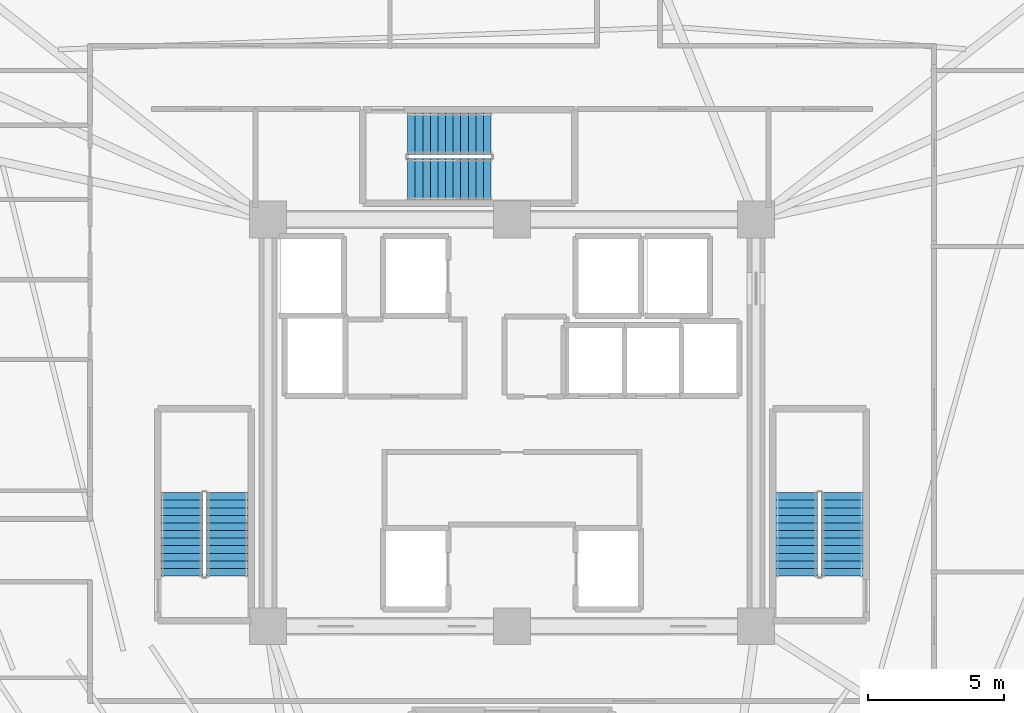
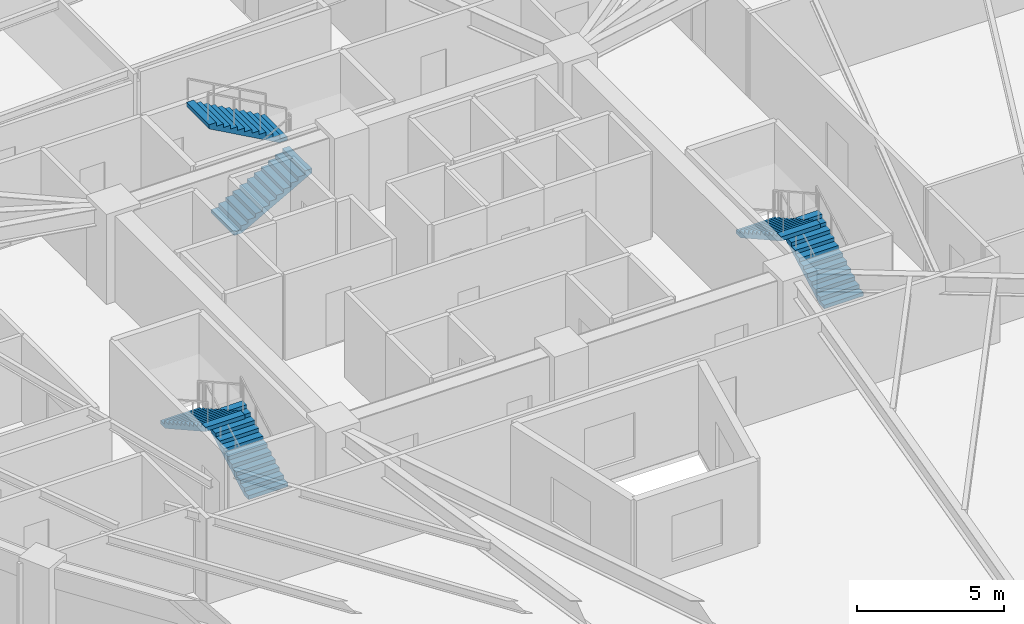
# One storey, part 7 of 9: 6 stair flights, 3 elements without a shape of their own.
"""IFC4 building model written with IfcOpenShell, lengths in metres."""

from ifc_helpers import new_model, si_unit, direction, frame, origin, place, context, subcontext, project, spatial, polyline, outline, extrude, material, type_object, element, aggregate, save


model = new_model("IFC4")

# Units and contexts
model_context = context("Model", 3, precision=1e-05, world=origin(), true_north=direction((0.0, 1.0)))
body_context = subcontext(model_context, "Body", "Model", "MODEL_VIEW")
ifc_project = project(units=[si_unit("LENGTHUNIT", "METRE"), si_unit("AREAUNIT", "SQUARE_METRE"), si_unit("VOLUMEUNIT", "CUBIC_METRE"), si_unit("PLANEANGLEUNIT", "RADIAN"), si_unit("MASSUNIT", "GRAM", prefix="KILO")], contexts=[model_context])

# Site, building, storey
site_placement = place(None, origin())
site = spatial("IfcSite", under=ifc_project, at=site_placement, CompositionType="ELEMENT")
building_placement = place(site_placement, origin())
building = spatial("IfcBuilding", under=site, at=building_placement, Name="Liaohun Quay Tower", CompositionType="ELEMENT")
storey_placement = place(building_placement, frame((0.0, 0.0, 236.25)))
storey = spatial("IfcBuildingStorey", under=building, at=storey_placement, Name="L61", CompositionType="ELEMENT", Elevation=236.25)

# Stair, stair flights
ifc_material = material(Name="Concrete C45", Category="concrete")
stair_type = type_object("IfcStairType", Name="STR-CORE-OFF", PredefinedType="HALF_TURN_STAIR", material=ifc_material)
stair_1_placement = place(storey_placement, origin())
stair_1 = element("IfcStair", 1, at=stair_1_placement, inside=storey, type_object=stair_type, Name="L61 Smokeproof Core Exit Stair ST-1", PredefinedType="HALF_TURN_STAIR")
stair_flight_type = type_object("IfcStairFlightType", Name="FLT-CORE-155", PredefinedType="STRAIGHT", material=ifc_material)
stair_flight_1_placement = place(storey_placement, frame((49.5048828125, 48.35009765625, 0.0), z_axis=(0.0, 0.0, 1.0), x_axis=(0.0, 1.0, 0.0)))
stair_flight_1 = element("IfcStairFlight", 2, at=stair_flight_1_placement, type_object=stair_flight_type, Name="ST-1 flight 1", NumberOfRisers=12, NumberOfTreads=11, PredefinedType="STRAIGHT", RiserHeight=0.15625, TreadLength=0.28, context=body_context, shape_type="SweptSolid", body=[
    extrude(outline(polyline([(0.0, 0.0), (0.0, 0.15625), (0.280029296875, 0.15625), (0.280029296875, 0.3125), (0.56005859375, 0.3125), (0.56005859375, 0.46875), (0.840087890625, 0.46875), (0.840087890625, 0.625), (1.1201171875, 0.625), (1.1201171875, 0.78125), (1.39990234375, 0.78125), (1.39990234375, 0.9375), (1.679931640625, 0.9375), (1.679931640625, 1.09375), (1.9599609375, 1.09375), (1.9599609375, 1.25), (2.239990234375, 1.25), (2.239990234375, 1.40625), (2.52001953125, 1.40625), (2.52001953125, 1.5625), (2.800048828125, 1.5625), (2.800048828125, 1.71875), (3.080078125, 1.71875), (3.080078125, 1.875), (3.080078125, 1.547119140625), (0.3076171875, 0.0), (0.0, 0.0)])), frame((0.0, 0.77490234375, 0.0), z_axis=(0.0, -1.0, 0.0), x_axis=(1.0, 0.0, 0.0)), (0.0, 0.0, 1.0), 1.550048828125),
])
stair_flight_2_placement = place(storey_placement, frame((47.81494140625, 51.429931640625, 1.875), z_axis=(0.0, 0.0, 1.0), x_axis=(0.0, -1.0, 0.0)))
stair_flight_2 = element("IfcStairFlight", 3, at=stair_flight_2_placement, type_object=stair_flight_type, Name="ST-1 flight 2", NumberOfRisers=12, NumberOfTreads=11, PredefinedType="STRAIGHT", RiserHeight=0.15625, TreadLength=0.28, context=body_context, shape_type="SweptSolid", body=[
    extrude(outline(polyline([(0.0, 0.0), (0.0, 0.15625), (0.280029296875, 0.15625), (0.280029296875, 0.3125), (0.56005859375, 0.3125), (0.56005859375, 0.46875), (0.840087890625, 0.46875), (0.840087890625, 0.625), (1.1201171875, 0.625), (1.1201171875, 0.78125), (1.39990234375, 0.78125), (1.39990234375, 0.9375), (1.679931640625, 0.9375), (1.679931640625, 1.09375), (1.9599609375, 1.09375), (1.9599609375, 1.25), (2.239990234375, 1.25), (2.239990234375, 1.40625), (2.52001953125, 1.40625), (2.52001953125, 1.5625), (2.800048828125, 1.5625), (2.800048828125, 1.71875), (3.080078125, 1.71875), (3.080078125, 1.875), (3.080078125, 1.547119140625), (0.3076171875, 0.0), (0.0, 0.0)])), frame((0.0, 0.77490234375, 0.0), z_axis=(0.0, -1.0, 0.0), x_axis=(1.0, 0.0, 0.0)), (0.0, 0.0, 1.0), 1.550048828125),
])
aggregate(stair_1, [stair_flight_1, stair_flight_2])

stair_2_placement = place(storey_placement, origin())
stair_2 = element("IfcStair", 4, at=stair_2_placement, inside=storey, type_object=stair_type, Name="L61 Smokeproof Core Exit Stair ST-2", PredefinedType="HALF_TURN_STAIR")
stair_flight_3_placement = place(storey_placement, frame((72.18505859375, 48.35009765625, 0.0), z_axis=(0.0, 0.0, 1.0), x_axis=(0.0, 1.0, 0.0)))
stair_flight_3 = element("IfcStairFlight", 5, at=stair_flight_3_placement, type_object=stair_flight_type, Name="ST-2 flight 1", NumberOfRisers=12, NumberOfTreads=11, PredefinedType="STRAIGHT", RiserHeight=0.15625, TreadLength=0.28, context=body_context, shape_type="SweptSolid", body=[
    extrude(outline(polyline([(0.0, 0.0), (0.0, 0.15625), (0.280029296875, 0.15625), (0.280029296875, 0.3125), (0.56005859375, 0.3125), (0.56005859375, 0.46875), (0.840087890625, 0.46875), (0.840087890625, 0.625), (1.1201171875, 0.625), (1.1201171875, 0.78125), (1.39990234375, 0.78125), (1.39990234375, 0.9375), (1.679931640625, 0.9375), (1.679931640625, 1.09375), (1.9599609375, 1.09375), (1.9599609375, 1.25), (2.239990234375, 1.25), (2.239990234375, 1.40625), (2.52001953125, 1.40625), (2.52001953125, 1.5625), (2.800048828125, 1.5625), (2.800048828125, 1.71875), (3.080078125, 1.71875), (3.080078125, 1.875), (3.080078125, 1.547119140625), (0.3076171875, 0.0), (0.0, 0.0)])), frame((0.0, 0.77490234375, 0.0), z_axis=(0.0, -1.0, 0.0), x_axis=(1.0, 0.0, 0.0)), (0.0, 0.0, 1.0), 1.550048828125),
])
stair_flight_4_placement = place(storey_placement, frame((70.4951171875, 51.429931640625, 1.875), z_axis=(0.0, 0.0, 1.0), x_axis=(0.0, -1.0, 0.0)))
stair_flight_4 = element("IfcStairFlight", 6, at=stair_flight_4_placement, type_object=stair_flight_type, Name="ST-2 flight 2", NumberOfRisers=12, NumberOfTreads=11, PredefinedType="STRAIGHT", RiserHeight=0.15625, TreadLength=0.28, context=body_context, shape_type="SweptSolid", body=[
    extrude(outline(polyline([(0.0, 0.0), (0.0, 0.15625), (0.280029296875, 0.15625), (0.280029296875, 0.3125), (0.56005859375, 0.3125), (0.56005859375, 0.46875), (0.840087890625, 0.46875), (0.840087890625, 0.625), (1.1201171875, 0.625), (1.1201171875, 0.78125), (1.39990234375, 0.78125), (1.39990234375, 0.9375), (1.679931640625, 0.9375), (1.679931640625, 1.09375), (1.9599609375, 1.09375), (1.9599609375, 1.25), (2.239990234375, 1.25), (2.239990234375, 1.40625), (2.52001953125, 1.40625), (2.52001953125, 1.5625), (2.800048828125, 1.5625), (2.800048828125, 1.71875), (3.080078125, 1.71875), (3.080078125, 1.875), (3.080078125, 1.547119140625), (0.3076171875, 0.0), (0.0, 0.0)])), frame((0.0, 0.77490234375, 0.0), z_axis=(0.0, -1.0, 0.0), x_axis=(1.0, 0.0, 0.0)), (0.0, 0.0, 1.0), 1.550048828125),
])
aggregate(stair_2, [stair_flight_3, stair_flight_4])

stair_3_placement = place(storey_placement, origin())
stair_3 = element("IfcStair", 7, at=stair_3_placement, inside=storey, type_object=stair_type, Name="L61 Smokeproof Core Exit Stair ST-3", PredefinedType="HALF_TURN_STAIR")
stair_flight_5_placement = place(storey_placement, frame((56.14990234375, 62.97509765625, 0.0), z_axis=(0.0, 0.0, 1.0), x_axis=(1.0, 0.0, 0.0)))
stair_flight_5 = element("IfcStairFlight", 8, at=stair_flight_5_placement, type_object=stair_flight_type, Name="ST-3 flight 1", NumberOfRisers=12, NumberOfTreads=11, PredefinedType="STRAIGHT", RiserHeight=0.15625, TreadLength=0.28, context=body_context, shape_type="SweptSolid", body=[
    extrude(outline(polyline([(0.0, 0.0), (0.0, 0.15625), (0.280029296875, 0.15625), (0.280029296875, 0.3125), (0.56005859375, 0.3125), (0.56005859375, 0.46875), (0.840087890625, 0.46875), (0.840087890625, 0.625), (1.1201171875, 0.625), (1.1201171875, 0.78125), (1.39990234375, 0.78125), (1.39990234375, 0.9375), (1.679931640625, 0.9375), (1.679931640625, 1.09375), (1.9599609375, 1.09375), (1.9599609375, 1.25), (2.239990234375, 1.25), (2.239990234375, 1.40625), (2.52001953125, 1.40625), (2.52001953125, 1.5625), (2.800048828125, 1.5625), (2.800048828125, 1.71875), (3.080078125, 1.71875), (3.080078125, 1.875), (3.080078125, 1.547119140625), (0.3076171875, 0.0), (0.0, 0.0)])), frame((0.0, 0.77490234375, 0.0), z_axis=(0.0, -1.0, 0.0), x_axis=(1.0, 0.0, 0.0)), (0.0, 0.0, 1.0), 1.550048828125),
])
stair_flight_6_placement = place(storey_placement, frame((59.22998046875, 64.6650390625, 1.875), z_axis=(0.0, 0.0, 1.0), x_axis=(-1.0, 0.0, 0.0)))
stair_flight_6 = element("IfcStairFlight", 9, at=stair_flight_6_placement, type_object=stair_flight_type, Name="ST-3 flight 2", NumberOfRisers=12, NumberOfTreads=11, PredefinedType="STRAIGHT", RiserHeight=0.15625, TreadLength=0.28, context=body_context, shape_type="SweptSolid", body=[
    extrude(outline(polyline([(0.0, 0.0), (0.0, 0.15625), (0.280029296875, 0.15625), (0.280029296875, 0.3125), (0.56005859375, 0.3125), (0.56005859375, 0.46875), (0.840087890625, 0.46875), (0.840087890625, 0.625), (1.1201171875, 0.625), (1.1201171875, 0.78125), (1.39990234375, 0.78125), (1.39990234375, 0.9375), (1.679931640625, 0.9375), (1.679931640625, 1.09375), (1.9599609375, 1.09375), (1.9599609375, 1.25), (2.239990234375, 1.25), (2.239990234375, 1.40625), (2.52001953125, 1.40625), (2.52001953125, 1.5625), (2.800048828125, 1.5625), (2.800048828125, 1.71875), (3.080078125, 1.71875), (3.080078125, 1.875), (3.080078125, 1.547119140625), (0.3076171875, 0.0), (0.0, 0.0)])), frame((0.0, 0.77490234375, 0.0), z_axis=(0.0, -1.0, 0.0), x_axis=(1.0, 0.0, 0.0)), (0.0, 0.0, 1.0), 1.550048828125),
])
aggregate(stair_3, [stair_flight_5, stair_flight_6])

save(model, "model.ifc")
